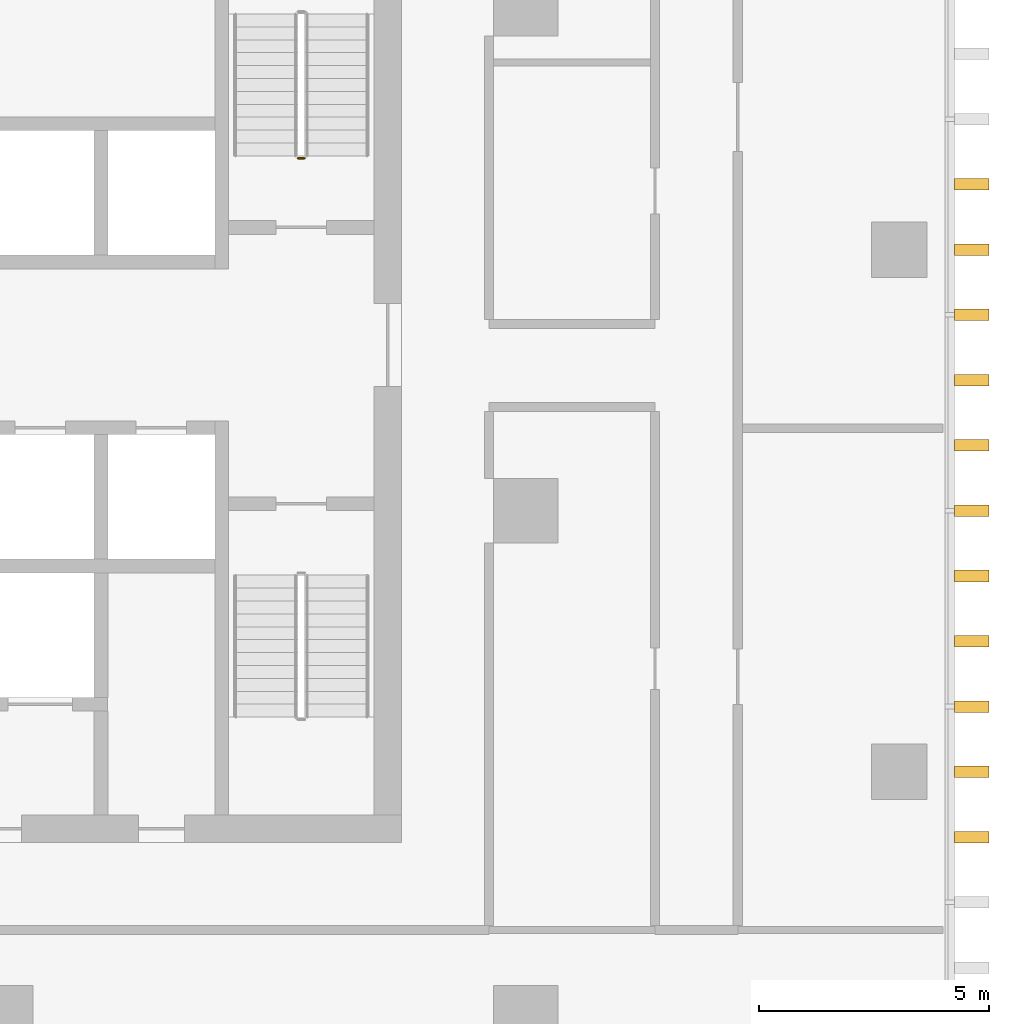
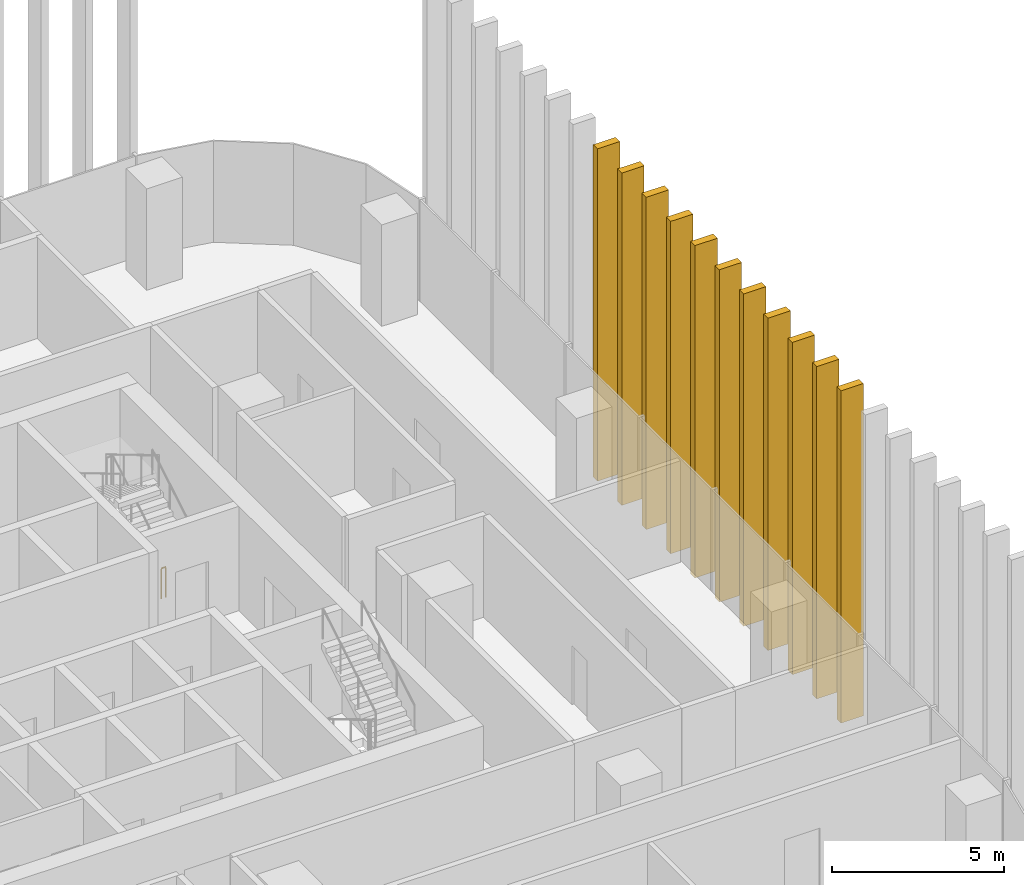
# One storey, part 15 of 16: 11 shading devices, 1 railing.
"""IFC4 building model written with IfcOpenShell, lengths in metres."""

from ifc_helpers import new_model, si_unit, direction, frame, origin, origin_2d, place, context, subcontext, project, spatial, rectangle, circle, extrude, material, type_object, element, save


model = new_model("IFC4")

# Units and contexts
model_context = context("Model", 3, precision=1e-05, world=origin(), true_north=direction((0.0, 1.0)))
body_context = subcontext(model_context, "Body", "Model", "MODEL_VIEW")
ifc_project = project(units=[si_unit("LENGTHUNIT", "METRE"), si_unit("AREAUNIT", "SQUARE_METRE"), si_unit("VOLUMEUNIT", "CUBIC_METRE"), si_unit("PLANEANGLEUNIT", "RADIAN"), si_unit("MASSUNIT", "GRAM", prefix="KILO")], contexts=[model_context])

# Site, building, storey
site_placement = place(None, origin())
site = spatial("IfcSite", under=ifc_project, at=site_placement, CompositionType="ELEMENT")
building_placement = place(site_placement, origin())
building = spatial("IfcBuilding", under=site, at=building_placement, Name="Mopane Tessera Tower", CompositionType="ELEMENT")
storey_placement = place(building_placement, frame((0.0, 0.0, 193.0)))
storey = spatial("IfcBuildingStorey", under=building, at=storey_placement, Name="L40", CompositionType="ELEMENT", Elevation=193.0)

# Shading devices
ifc_material_1 = material(Name="Glazed ceramic tile")
shading_device_type = type_object("IfcShadingDeviceType", Name="Ceramic tile fin 750 x 250 mm", PredefinedType="USERDEFINED", material=ifc_material_1)
for number, where, z_axis, x_axis, name in (
    (1, (26.77490234375, -7.083251953125, -0.39990234375), (0.0, 0.0, 1.0), (0.0, 1.0, 0.0), "e:fin:L40:E:2:1"),
    (2, (26.77490234375, -5.666748046875, -0.39990234375), (0.0, 0.0, 1.0), (0.0, 1.0, 0.0), "e:fin:L40:E:2:2"),
    (3, (26.77490234375, -4.25, -0.39990234375), (0.0, 0.0, 1.0), (0.0, 1.0, 0.0), "e:fin:L40:E:3:0"),
    (4, (26.77490234375, -2.833251953125, -0.39990234375), (0.0, 0.0, 1.0), (0.0, 1.0, 0.0), "e:fin:L40:E:3:1"),
    (5, (26.77490234375, -1.416748046875, -0.39990234375), (0.0, 0.0, 1.0), (0.0, 1.0, 0.0), "e:fin:L40:E:3:2"),
    (6, (26.77490234375, 0.0, -0.39990234375), (0.0, 0.0, 1.0), (0.0, 1.0, 0.0), "e:fin:L40:E:4:0"),
    (7, (26.77490234375, 1.416748046875, -0.39990234375), (0.0, 0.0, 1.0), (0.0, 1.0, 0.0), "e:fin:L40:E:4:1"),
    (8, (26.77490234375, 2.833251953125, -0.39990234375), (0.0, 0.0, 1.0), (0.0, 1.0, 0.0), "e:fin:L40:E:4:2"),
    (9, (26.77490234375, 4.25, -0.39990234375), (0.0, 0.0, 1.0), (0.0, 1.0, 0.0), "e:fin:L40:E:5:0"),
    (10, (26.77490234375, 5.666748046875, -0.39990234375), (0.0, 0.0, 1.0), (0.0, 1.0, 0.0), "e:fin:L40:E:5:1"),
    (11, (26.77490234375, 7.083251953125, -0.39990234375), (0.0, 0.0, 1.0), (0.0, 1.0, 0.0), "e:fin:L40:E:5:2"),
):
    element("IfcShadingDevice", number, at=place(storey_placement, frame(where, z_axis=z_axis, x_axis=x_axis)), inside=storey, type_object=shading_device_type, Name=name, ObjectType="FIN", PredefinedType="USERDEFINED", context=body_context, shape_type="SweptSolid", body=[
        extrude(rectangle(XDim=0.25, YDim=0.75, at=origin_2d()), origin(), (0.0, 0.0, 1.0), 11.800048828125),
    ])

# Railing
ifc_material_2 = material(Name="Powder-coated steel balustrade", Category="steel")
railing_type = type_object("IfcRailingType", Name="Escape stair guard 1100 mm", PredefinedType="GUARDRAIL", material=ifc_material_2)
railing_placement = place(storey_placement, frame((12.300048828125, 7.64990234375, 0.0)))
element("IfcRailing", 12, at=railing_placement, inside=storey, type_object=railing_type, Name="L40 ST4 stair guard 3", PredefinedType="GUARDRAIL", context=body_context, shape_type="SweptSolid", body=[
    extrude(circle(Radius=0.02392578125, at=origin_2d()), frame((0.0, 0.0, 1.076171875), z_axis=(-1.0, 0.0, 0.0), x_axis=(0.0, -1.0, 0.0)), (0.0, 0.0, 1.0), 0.150146484375),
    extrude(circle(Radius=0.02099609375, at=origin_2d()), origin(), (0.0, 0.0, 1.0), 1.052001953125),
    extrude(circle(Radius=0.02099609375, at=origin_2d()), frame((-0.150146484375, 0.0, 0.0)), (0.0, 0.0, 1.0), 1.052001953125),
])

save(model, "model.ifc")
